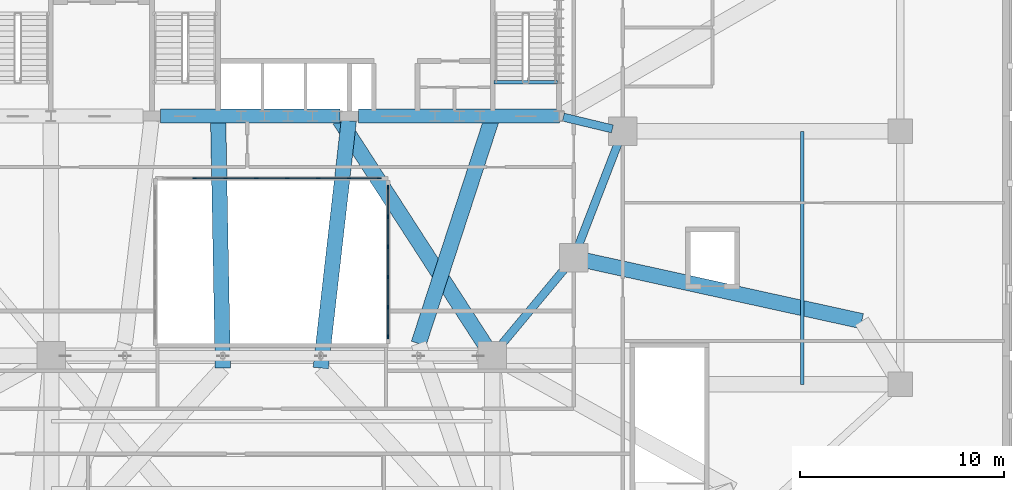
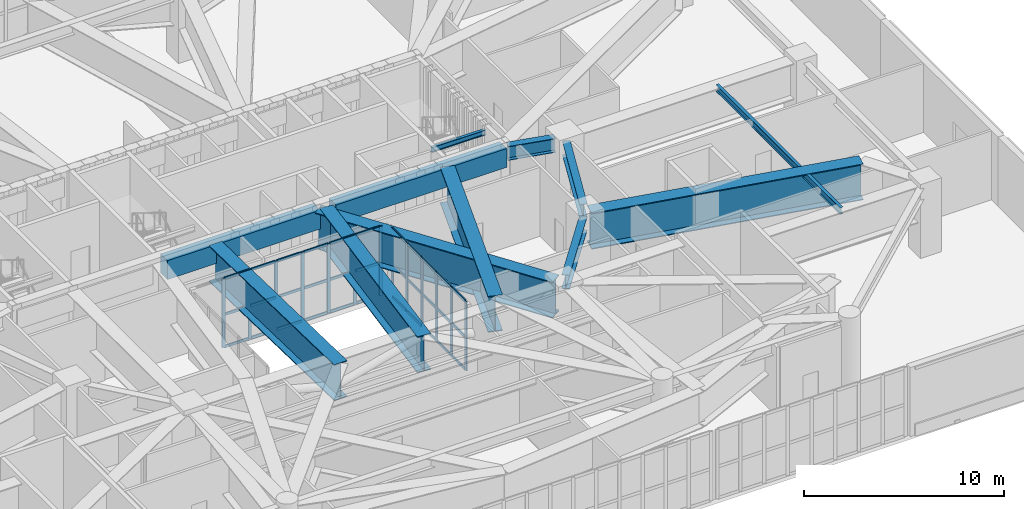
# One storey, part 8 of 26: 46 members, 12 beams, 2 elements without a shape of their own.
"""IFC4 building model written with IfcOpenShell, lengths in metres."""

from ifc_helpers import new_model, si_unit, direction, frame, origin, origin_2d, place, context, subcontext, project, spatial, rectangle, i_section, extrude, material, material_profile, profile_set, type_object, element, aggregate, save


model = new_model("IFC4")

# Units and contexts
model_context = context("Model", 3, precision=1e-05, world=origin(), true_north=direction((0.0, 1.0)))
body_context = subcontext(model_context, "Body", "Model", "MODEL_VIEW")
ifc_project = project(units=[si_unit("LENGTHUNIT", "METRE"), si_unit("AREAUNIT", "SQUARE_METRE"), si_unit("VOLUMEUNIT", "CUBIC_METRE"), si_unit("PLANEANGLEUNIT", "RADIAN"), si_unit("MASSUNIT", "GRAM", prefix="KILO")], contexts=[model_context])

# Site, building, storey
site_placement = place(None, origin())
site = spatial("IfcSite", under=ifc_project, at=site_placement, CompositionType="ELEMENT")
building_placement = place(site_placement, origin())
building = spatial("IfcBuilding", under=site, at=building_placement, Name="Haldorwick Loom Tower", CompositionType="ELEMENT")
storey_placement = place(building_placement, frame((0.0, 0.0, 19.5)))
storey = spatial("IfcBuildingStorey", under=building, at=storey_placement, Name="L04", CompositionType="ELEMENT", Elevation=19.5)

# Curtain wall, members
ifc_material_1 = material(Name="Thermally Broken Anodized Aluminium Curtain Wall Framing", Category="aluminium")
curtain_wall_type = type_object("IfcCurtainWallType", Name="ARC-CW-03", PredefinedType="NOTDEFINED", material=ifc_material_1)
curtain_wall_1_placement = place(storey_placement, origin())
curtain_wall_1 = element("IfcCurtainWall", 1, at=curtain_wall_1_placement, inside=storey, type_object=curtain_wall_type, Name="L04 Atrium Glazed Screen N", PredefinedType="NOTDEFINED")
ifc_material_profile_1 = material_profile(ifc_material_1, rectangle(XDim=0.06591796875, YDim=0.18505859375, at=origin_2d()), Name="ALU_MUL_66X185", Category="aluminium")
ifc_profile_set_1 = profile_set([ifc_material_profile_1], Name="Thermally Broken Anodized Aluminium Curtain Wall Framing")
member_type_1 = type_object("IfcMemberType", Name="ARC-CWM-03", PredefinedType="MULLION", material=ifc_profile_set_1)
member_1_placement = place(storey_placement, frame((32.21435546875, 23.699951171875, 0.0), z_axis=(0.0, 0.0, 1.0), x_axis=(0.0, 1.0, 0.0)))
member_1 = element("IfcMember", 2, at=member_1_placement, type_object=member_type_1, Name="CW-03 mullion 2", PredefinedType="MULLION", context=body_context, shape_type="SweptSolid", body=[
    extrude(rectangle(XDim=0.06591796875, YDim=0.18505859375, at=origin_2d()), origin(), (0.0, 0.0, 1.0), 4.219970703125),
])
member_2_placement = place(storey_placement, frame((33.728515625, 23.699951171875, 0.0), z_axis=(0.0, 0.0, 1.0), x_axis=(0.0, 1.0, 0.0)))
member_2 = element("IfcMember", 3, at=member_2_placement, type_object=member_type_1, Name="CW-03 mullion 3", PredefinedType="MULLION", context=body_context, shape_type="SweptSolid", body=[
    extrude(rectangle(XDim=0.06591796875, YDim=0.18505859375, at=origin_2d()), origin(), (0.0, 0.0, 1.0), 4.219970703125),
])
member_3_placement = place(storey_placement, frame((35.242919921875, 23.699951171875, 0.0), z_axis=(0.0, 0.0, 1.0), x_axis=(0.0, 1.0, 0.0)))
member_3 = element("IfcMember", 4, at=member_3_placement, type_object=member_type_1, Name="CW-03 mullion 4", PredefinedType="MULLION", context=body_context, shape_type="SweptSolid", body=[
    extrude(rectangle(XDim=0.06591796875, YDim=0.18505859375, at=origin_2d()), origin(), (0.0, 0.0, 1.0), 4.219970703125),
])
member_4_placement = place(storey_placement, frame((36.757080078125, 23.699951171875, 0.0), z_axis=(0.0, 0.0, 1.0), x_axis=(0.0, 1.0, 0.0)))
member_4 = element("IfcMember", 5, at=member_4_placement, type_object=member_type_1, Name="CW-03 mullion 5", PredefinedType="MULLION", context=body_context, shape_type="SweptSolid", body=[
    extrude(rectangle(XDim=0.06591796875, YDim=0.18505859375, at=origin_2d()), origin(), (0.0, 0.0, 1.0), 4.219970703125),
])
member_5_placement = place(storey_placement, frame((38.271484375, 23.699951171875, 0.0), z_axis=(0.0, 0.0, 1.0), x_axis=(0.0, 1.0, 0.0)))
member_5 = element("IfcMember", 6, at=member_5_placement, type_object=member_type_1, Name="CW-03 mullion 6", PredefinedType="MULLION", context=body_context, shape_type="SweptSolid", body=[
    extrude(rectangle(XDim=0.06591796875, YDim=0.18505859375, at=origin_2d()), origin(), (0.0, 0.0, 1.0), 4.219970703125),
])
member_6_placement = place(storey_placement, frame((39.78564453125, 23.699951171875, 0.0), z_axis=(0.0, 0.0, 1.0), x_axis=(0.0, 1.0, 0.0)))
member_6 = element("IfcMember", 7, at=member_6_placement, type_object=member_type_1, Name="CW-03 mullion 7", PredefinedType="MULLION", context=body_context, shape_type="SweptSolid", body=[
    extrude(rectangle(XDim=0.06591796875, YDim=0.18505859375, at=origin_2d()), origin(), (0.0, 0.0, 1.0), 4.219970703125),
])
member_7_placement = place(storey_placement, frame((41.26708984375, 23.699951171875, 0.0), z_axis=(0.0, 0.0, 1.0), x_axis=(0.0, 1.0, 0.0)))
member_7 = element("IfcMember", 8, at=member_7_placement, type_object=member_type_1, Name="CW-03 mullion 8", PredefinedType="MULLION", context=body_context, shape_type="SweptSolid", body=[
    extrude(rectangle(XDim=0.06591796875, YDim=0.18505859375, at=origin_2d()), origin(), (0.0, 0.0, 1.0), 4.219970703125),
])

curtain_wall_2_placement = place(storey_placement, origin())
curtain_wall_2 = element("IfcCurtainWall", 9, at=curtain_wall_2_placement, inside=storey, type_object=curtain_wall_type, Name="L04 Atrium Glazed Screen E", PredefinedType="NOTDEFINED")
member_8_placement = place(storey_placement, frame((41.699951171875, 23.26708984375, 0.0), z_axis=(0.0, 0.0, 1.0), x_axis=(1.0, 0.0, 0.0)))
member_8 = element("IfcMember", 10, at=member_8_placement, type_object=member_type_1, Name="CW-03 mullion 1", PredefinedType="MULLION", context=body_context, shape_type="SweptSolid", body=[
    extrude(rectangle(XDim=0.06591796875, YDim=0.18505859375, at=origin_2d()), origin(), (0.0, 0.0, 1.0), 4.219970703125),
])
member_9_placement = place(storey_placement, frame((41.699951171875, 21.820068359375, 0.0), z_axis=(0.0, 0.0, 1.0), x_axis=(1.0, 0.0, 0.0)))
member_9 = element("IfcMember", 11, at=member_9_placement, type_object=member_type_1, Name="CW-03 mullion 2", PredefinedType="MULLION", context=body_context, shape_type="SweptSolid", body=[
    extrude(rectangle(XDim=0.06591796875, YDim=0.18505859375, at=origin_2d()), origin(), (0.0, 0.0, 1.0), 4.219970703125),
])
member_10_placement = place(storey_placement, frame((41.699951171875, 20.340087890625, 0.0), z_axis=(0.0, 0.0, 1.0), x_axis=(1.0, 0.0, 0.0)))
member_10 = element("IfcMember", 12, at=member_10_placement, type_object=member_type_1, Name="CW-03 mullion 3", PredefinedType="MULLION", context=body_context, shape_type="SweptSolid", body=[
    extrude(rectangle(XDim=0.06591796875, YDim=0.18505859375, at=origin_2d()), origin(), (0.0, 0.0, 1.0), 4.219970703125),
])
member_11_placement = place(storey_placement, frame((41.699951171875, 18.860107421875, 0.0), z_axis=(0.0, 0.0, 1.0), x_axis=(1.0, 0.0, 0.0)))
member_11 = element("IfcMember", 13, at=member_11_placement, type_object=member_type_1, Name="CW-03 mullion 4", PredefinedType="MULLION", context=body_context, shape_type="SweptSolid", body=[
    extrude(rectangle(XDim=0.06591796875, YDim=0.18505859375, at=origin_2d()), origin(), (0.0, 0.0, 1.0), 4.219970703125),
])
member_12_placement = place(storey_placement, frame((41.699951171875, 17.3798828125, 0.0), z_axis=(0.0, 0.0, 1.0), x_axis=(1.0, 0.0, 0.0)))
member_12 = element("IfcMember", 14, at=member_12_placement, type_object=member_type_1, Name="CW-03 mullion 5", PredefinedType="MULLION", context=body_context, shape_type="SweptSolid", body=[
    extrude(rectangle(XDim=0.06591796875, YDim=0.18505859375, at=origin_2d()), origin(), (0.0, 0.0, 1.0), 4.219970703125),
])
member_13_placement = place(storey_placement, frame((41.699951171875, 15.93310546875, 0.0), z_axis=(0.0, 0.0, 1.0), x_axis=(1.0, 0.0, 0.0)))
member_13 = element("IfcMember", 15, at=member_13_placement, type_object=member_type_1, Name="CW-03 mullion 6", PredefinedType="MULLION", context=body_context, shape_type="SweptSolid", body=[
    extrude(rectangle(XDim=0.06591796875, YDim=0.18505859375, at=origin_2d()), origin(), (0.0, 0.0, 1.0), 4.219970703125),
])

# Member
ifc_material_profile_2 = material_profile(ifc_material_1, rectangle(XDim=0.06591796875, YDim=0.1650390625, at=origin_2d()), Name="ALU_TRN_66X165", Category="aluminium")
ifc_profile_set_2 = profile_set([ifc_material_profile_2], Name="Thermally Broken Anodized Aluminium Curtain Wall Framing")
member_type_2 = type_object("IfcMemberType", Name="ARC-CWT-03", PredefinedType="USERDEFINED", material=ifc_profile_set_2)
member_14_placement = place(storey_placement, frame((32.247314453125, 23.699951171875, 0.032958984375), z_axis=(1.0, 0.0, 0.0), x_axis=(0.0, 1.0, 0.0)))
member_14 = element("IfcMember", 16, at=member_14_placement, type_object=member_type_2, Name="CW-03 transom 2.1", ObjectType="TRANSOM", PredefinedType="USERDEFINED", context=body_context, shape_type="SweptSolid", body=[
    extrude(rectangle(XDim=0.06591796875, YDim=0.1650390625, at=origin_2d()), origin(), (0.0, 0.0, 1.0), 1.4482421875),
])

member_15_placement = place(storey_placement, frame((32.247314453125, 23.699951171875, 2.0), z_axis=(1.0, 0.0, 0.0), x_axis=(0.0, 1.0, 0.0)))
member_15 = element("IfcMember", 17, at=member_15_placement, type_object=member_type_2, Name="CW-03 transom 2.2", ObjectType="TRANSOM", PredefinedType="USERDEFINED", context=body_context, shape_type="SweptSolid", body=[
    extrude(rectangle(XDim=0.06591796875, YDim=0.1650390625, at=origin_2d()), origin(), (0.0, 0.0, 1.0), 1.4482421875),
])

member_16_placement = place(storey_placement, frame((32.247314453125, 23.699951171875, 4.18701171875), z_axis=(1.0, 0.0, 0.0), x_axis=(0.0, 1.0, 0.0)))
member_16 = element("IfcMember", 18, at=member_16_placement, type_object=member_type_2, Name="CW-03 transom 2.3", ObjectType="TRANSOM", PredefinedType="USERDEFINED", context=body_context, shape_type="SweptSolid", body=[
    extrude(rectangle(XDim=0.06591796875, YDim=0.1650390625, at=origin_2d()), origin(), (0.0, 0.0, 1.0), 1.4482421875),
])

member_17_placement = place(storey_placement, frame((33.761474609375, 23.699951171875, 0.032958984375), z_axis=(1.0, 0.0, 0.0), x_axis=(0.0, 1.0, 0.0)))
member_17 = element("IfcMember", 19, at=member_17_placement, type_object=member_type_2, Name="CW-03 transom 3.1", ObjectType="TRANSOM", PredefinedType="USERDEFINED", context=body_context, shape_type="SweptSolid", body=[
    extrude(rectangle(XDim=0.06591796875, YDim=0.1650390625, at=origin_2d()), origin(), (0.0, 0.0, 1.0), 1.448486328125),
])

member_18_placement = place(storey_placement, frame((33.761474609375, 23.699951171875, 2.0), z_axis=(1.0, 0.0, 0.0), x_axis=(0.0, 1.0, 0.0)))
member_18 = element("IfcMember", 20, at=member_18_placement, type_object=member_type_2, Name="CW-03 transom 3.2", ObjectType="TRANSOM", PredefinedType="USERDEFINED", context=body_context, shape_type="SweptSolid", body=[
    extrude(rectangle(XDim=0.06591796875, YDim=0.1650390625, at=origin_2d()), origin(), (0.0, 0.0, 1.0), 1.448486328125),
])

member_19_placement = place(storey_placement, frame((33.761474609375, 23.699951171875, 4.18701171875), z_axis=(1.0, 0.0, 0.0), x_axis=(0.0, 1.0, 0.0)))
member_19 = element("IfcMember", 21, at=member_19_placement, type_object=member_type_2, Name="CW-03 transom 3.3", ObjectType="TRANSOM", PredefinedType="USERDEFINED", context=body_context, shape_type="SweptSolid", body=[
    extrude(rectangle(XDim=0.06591796875, YDim=0.1650390625, at=origin_2d()), origin(), (0.0, 0.0, 1.0), 1.448486328125),
])

member_20_placement = place(storey_placement, frame((35.27587890625, 23.699951171875, 0.032958984375), z_axis=(1.0, 0.0, 0.0), x_axis=(0.0, 1.0, 0.0)))
member_20 = element("IfcMember", 22, at=member_20_placement, type_object=member_type_2, Name="CW-03 transom 4.1", ObjectType="TRANSOM", PredefinedType="USERDEFINED", context=body_context, shape_type="SweptSolid", body=[
    extrude(rectangle(XDim=0.06591796875, YDim=0.1650390625, at=origin_2d()), origin(), (0.0, 0.0, 1.0), 1.4482421875),
])

member_21_placement = place(storey_placement, frame((35.27587890625, 23.699951171875, 2.0), z_axis=(1.0, 0.0, 0.0), x_axis=(0.0, 1.0, 0.0)))
member_21 = element("IfcMember", 23, at=member_21_placement, type_object=member_type_2, Name="CW-03 transom 4.2", ObjectType="TRANSOM", PredefinedType="USERDEFINED", context=body_context, shape_type="SweptSolid", body=[
    extrude(rectangle(XDim=0.06591796875, YDim=0.1650390625, at=origin_2d()), origin(), (0.0, 0.0, 1.0), 1.4482421875),
])

member_22_placement = place(storey_placement, frame((35.27587890625, 23.699951171875, 4.18701171875), z_axis=(1.0, 0.0, 0.0), x_axis=(0.0, 1.0, 0.0)))
member_22 = element("IfcMember", 24, at=member_22_placement, type_object=member_type_2, Name="CW-03 transom 4.3", ObjectType="TRANSOM", PredefinedType="USERDEFINED", context=body_context, shape_type="SweptSolid", body=[
    extrude(rectangle(XDim=0.06591796875, YDim=0.1650390625, at=origin_2d()), origin(), (0.0, 0.0, 1.0), 1.4482421875),
])

member_23_placement = place(storey_placement, frame((36.7900390625, 23.699951171875, 0.032958984375), z_axis=(1.0, 0.0, 0.0), x_axis=(0.0, 1.0, 0.0)))
member_23 = element("IfcMember", 25, at=member_23_placement, type_object=member_type_2, Name="CW-03 transom 5.1", ObjectType="TRANSOM", PredefinedType="USERDEFINED", context=body_context, shape_type="SweptSolid", body=[
    extrude(rectangle(XDim=0.06591796875, YDim=0.1650390625, at=origin_2d()), origin(), (0.0, 0.0, 1.0), 1.448486328125),
])

member_24_placement = place(storey_placement, frame((36.7900390625, 23.699951171875, 2.0), z_axis=(1.0, 0.0, 0.0), x_axis=(0.0, 1.0, 0.0)))
member_24 = element("IfcMember", 26, at=member_24_placement, type_object=member_type_2, Name="CW-03 transom 5.2", ObjectType="TRANSOM", PredefinedType="USERDEFINED", context=body_context, shape_type="SweptSolid", body=[
    extrude(rectangle(XDim=0.06591796875, YDim=0.1650390625, at=origin_2d()), origin(), (0.0, 0.0, 1.0), 1.448486328125),
])

member_25_placement = place(storey_placement, frame((36.7900390625, 23.699951171875, 4.18701171875), z_axis=(1.0, 0.0, 0.0), x_axis=(0.0, 1.0, 0.0)))
member_25 = element("IfcMember", 27, at=member_25_placement, type_object=member_type_2, Name="CW-03 transom 5.3", ObjectType="TRANSOM", PredefinedType="USERDEFINED", context=body_context, shape_type="SweptSolid", body=[
    extrude(rectangle(XDim=0.06591796875, YDim=0.1650390625, at=origin_2d()), origin(), (0.0, 0.0, 1.0), 1.448486328125),
])

member_26_placement = place(storey_placement, frame((38.304443359375, 23.699951171875, 0.032958984375), z_axis=(1.0, 0.0, 0.0), x_axis=(0.0, 1.0, 0.0)))
member_26 = element("IfcMember", 28, at=member_26_placement, type_object=member_type_2, Name="CW-03 transom 6.1", ObjectType="TRANSOM", PredefinedType="USERDEFINED", context=body_context, shape_type="SweptSolid", body=[
    extrude(rectangle(XDim=0.06591796875, YDim=0.1650390625, at=origin_2d()), origin(), (0.0, 0.0, 1.0), 1.4482421875),
])

member_27_placement = place(storey_placement, frame((38.304443359375, 23.699951171875, 2.0), z_axis=(1.0, 0.0, 0.0), x_axis=(0.0, 1.0, 0.0)))
member_27 = element("IfcMember", 29, at=member_27_placement, type_object=member_type_2, Name="CW-03 transom 6.2", ObjectType="TRANSOM", PredefinedType="USERDEFINED", context=body_context, shape_type="SweptSolid", body=[
    extrude(rectangle(XDim=0.06591796875, YDim=0.1650390625, at=origin_2d()), origin(), (0.0, 0.0, 1.0), 1.4482421875),
])

member_28_placement = place(storey_placement, frame((38.304443359375, 23.699951171875, 4.18701171875), z_axis=(1.0, 0.0, 0.0), x_axis=(0.0, 1.0, 0.0)))
member_28 = element("IfcMember", 30, at=member_28_placement, type_object=member_type_2, Name="CW-03 transom 6.3", ObjectType="TRANSOM", PredefinedType="USERDEFINED", context=body_context, shape_type="SweptSolid", body=[
    extrude(rectangle(XDim=0.06591796875, YDim=0.1650390625, at=origin_2d()), origin(), (0.0, 0.0, 1.0), 1.4482421875),
])

member_29_placement = place(storey_placement, frame((39.818603515625, 23.699951171875, 0.032958984375), z_axis=(1.0, 0.0, 0.0), x_axis=(0.0, 1.0, 0.0)))
member_29 = element("IfcMember", 31, at=member_29_placement, type_object=member_type_2, Name="CW-03 transom 7.1", ObjectType="TRANSOM", PredefinedType="USERDEFINED", context=body_context, shape_type="SweptSolid", body=[
    extrude(rectangle(XDim=0.06591796875, YDim=0.1650390625, at=origin_2d()), origin(), (0.0, 0.0, 1.0), 1.415283203125),
])

member_30_placement = place(storey_placement, frame((39.818603515625, 23.699951171875, 2.0), z_axis=(1.0, 0.0, 0.0), x_axis=(0.0, 1.0, 0.0)))
member_30 = element("IfcMember", 32, at=member_30_placement, type_object=member_type_2, Name="CW-03 transom 7.2", ObjectType="TRANSOM", PredefinedType="USERDEFINED", context=body_context, shape_type="SweptSolid", body=[
    extrude(rectangle(XDim=0.06591796875, YDim=0.1650390625, at=origin_2d()), origin(), (0.0, 0.0, 1.0), 1.415283203125),
])

member_31_placement = place(storey_placement, frame((39.818603515625, 23.699951171875, 4.18701171875), z_axis=(1.0, 0.0, 0.0), x_axis=(0.0, 1.0, 0.0)))
member_31 = element("IfcMember", 33, at=member_31_placement, type_object=member_type_2, Name="CW-03 transom 7.3", ObjectType="TRANSOM", PredefinedType="USERDEFINED", context=body_context, shape_type="SweptSolid", body=[
    extrude(rectangle(XDim=0.06591796875, YDim=0.1650390625, at=origin_2d()), origin(), (0.0, 0.0, 1.0), 1.415283203125),
])

aggregate(curtain_wall_1, [member_1, member_2, member_3, member_4, member_5, member_6, member_7, member_14, member_15, member_16, member_17, member_18, member_19, member_20, member_21, member_22, member_23, member_24, member_25, member_26, member_27, member_28, member_29, member_30, member_31])

member_32_placement = place(storey_placement, frame((41.699951171875, 23.23388671875, 0.032958984375), z_axis=(0.0, -1.0, 0.0), x_axis=(1.0, 0.0, 0.0)))
member_32 = element("IfcMember", 34, at=member_32_placement, type_object=member_type_2, Name="CW-03 transom 1.1", ObjectType="TRANSOM", PredefinedType="USERDEFINED", context=body_context, shape_type="SweptSolid", body=[
    extrude(rectangle(XDim=0.06591796875, YDim=0.1650390625, at=origin_2d()), origin(), (0.0, 0.0, 1.0), 1.380859375),
])

member_33_placement = place(storey_placement, frame((41.699951171875, 23.23388671875, 2.0), z_axis=(0.0, -1.0, 0.0), x_axis=(1.0, 0.0, 0.0)))
member_33 = element("IfcMember", 35, at=member_33_placement, type_object=member_type_2, Name="CW-03 transom 1.2", ObjectType="TRANSOM", PredefinedType="USERDEFINED", context=body_context, shape_type="SweptSolid", body=[
    extrude(rectangle(XDim=0.06591796875, YDim=0.1650390625, at=origin_2d()), origin(), (0.0, 0.0, 1.0), 1.380859375),
])

member_34_placement = place(storey_placement, frame((41.699951171875, 23.23388671875, 4.18701171875), z_axis=(0.0, -1.0, 0.0), x_axis=(1.0, 0.0, 0.0)))
member_34 = element("IfcMember", 36, at=member_34_placement, type_object=member_type_2, Name="CW-03 transom 1.3", ObjectType="TRANSOM", PredefinedType="USERDEFINED", context=body_context, shape_type="SweptSolid", body=[
    extrude(rectangle(XDim=0.06591796875, YDim=0.1650390625, at=origin_2d()), origin(), (0.0, 0.0, 1.0), 1.380859375),
])

member_35_placement = place(storey_placement, frame((41.699951171875, 21.787109375, 0.032958984375), z_axis=(0.0, -1.0, 0.0), x_axis=(1.0, 0.0, 0.0)))
member_35 = element("IfcMember", 37, at=member_35_placement, type_object=member_type_2, Name="CW-03 transom 2.1", ObjectType="TRANSOM", PredefinedType="USERDEFINED", context=body_context, shape_type="SweptSolid", body=[
    extrude(rectangle(XDim=0.06591796875, YDim=0.1650390625, at=origin_2d()), origin(), (0.0, 0.0, 1.0), 1.4140625),
])

member_36_placement = place(storey_placement, frame((41.699951171875, 21.787109375, 2.0), z_axis=(0.0, -1.0, 0.0), x_axis=(1.0, 0.0, 0.0)))
member_36 = element("IfcMember", 38, at=member_36_placement, type_object=member_type_2, Name="CW-03 transom 2.2", ObjectType="TRANSOM", PredefinedType="USERDEFINED", context=body_context, shape_type="SweptSolid", body=[
    extrude(rectangle(XDim=0.06591796875, YDim=0.1650390625, at=origin_2d()), origin(), (0.0, 0.0, 1.0), 1.4140625),
])

member_37_placement = place(storey_placement, frame((41.699951171875, 21.787109375, 4.18701171875), z_axis=(0.0, -1.0, 0.0), x_axis=(1.0, 0.0, 0.0)))
member_37 = element("IfcMember", 39, at=member_37_placement, type_object=member_type_2, Name="CW-03 transom 2.3", ObjectType="TRANSOM", PredefinedType="USERDEFINED", context=body_context, shape_type="SweptSolid", body=[
    extrude(rectangle(XDim=0.06591796875, YDim=0.1650390625, at=origin_2d()), origin(), (0.0, 0.0, 1.0), 1.4140625),
])

member_38_placement = place(storey_placement, frame((41.699951171875, 20.306884765625, 0.032958984375), z_axis=(0.0, -1.0, 0.0), x_axis=(1.0, 0.0, 0.0)))
member_38 = element("IfcMember", 40, at=member_38_placement, type_object=member_type_2, Name="CW-03 transom 3.1", ObjectType="TRANSOM", PredefinedType="USERDEFINED", context=body_context, shape_type="SweptSolid", body=[
    extrude(rectangle(XDim=0.06591796875, YDim=0.1650390625, at=origin_2d()), origin(), (0.0, 0.0, 1.0), 1.413818359375),
])

member_39_placement = place(storey_placement, frame((41.699951171875, 20.306884765625, 2.0), z_axis=(0.0, -1.0, 0.0), x_axis=(1.0, 0.0, 0.0)))
member_39 = element("IfcMember", 41, at=member_39_placement, type_object=member_type_2, Name="CW-03 transom 3.2", ObjectType="TRANSOM", PredefinedType="USERDEFINED", context=body_context, shape_type="SweptSolid", body=[
    extrude(rectangle(XDim=0.06591796875, YDim=0.1650390625, at=origin_2d()), origin(), (0.0, 0.0, 1.0), 1.413818359375),
])

member_40_placement = place(storey_placement, frame((41.699951171875, 20.306884765625, 4.18701171875), z_axis=(0.0, -1.0, 0.0), x_axis=(1.0, 0.0, 0.0)))
member_40 = element("IfcMember", 42, at=member_40_placement, type_object=member_type_2, Name="CW-03 transom 3.3", ObjectType="TRANSOM", PredefinedType="USERDEFINED", context=body_context, shape_type="SweptSolid", body=[
    extrude(rectangle(XDim=0.06591796875, YDim=0.1650390625, at=origin_2d()), origin(), (0.0, 0.0, 1.0), 1.413818359375),
])

member_41_placement = place(storey_placement, frame((41.699951171875, 18.826904296875, 0.032958984375), z_axis=(0.0, -1.0, 0.0), x_axis=(1.0, 0.0, 0.0)))
member_41 = element("IfcMember", 43, at=member_41_placement, type_object=member_type_2, Name="CW-03 transom 4.1", ObjectType="TRANSOM", PredefinedType="USERDEFINED", context=body_context, shape_type="SweptSolid", body=[
    extrude(rectangle(XDim=0.06591796875, YDim=0.1650390625, at=origin_2d()), origin(), (0.0, 0.0, 1.0), 1.413818359375),
])

member_42_placement = place(storey_placement, frame((41.699951171875, 18.826904296875, 2.0), z_axis=(0.0, -1.0, 0.0), x_axis=(1.0, 0.0, 0.0)))
member_42 = element("IfcMember", 44, at=member_42_placement, type_object=member_type_2, Name="CW-03 transom 4.2", ObjectType="TRANSOM", PredefinedType="USERDEFINED", context=body_context, shape_type="SweptSolid", body=[
    extrude(rectangle(XDim=0.06591796875, YDim=0.1650390625, at=origin_2d()), origin(), (0.0, 0.0, 1.0), 1.413818359375),
])

member_43_placement = place(storey_placement, frame((41.699951171875, 18.826904296875, 4.18701171875), z_axis=(0.0, -1.0, 0.0), x_axis=(1.0, 0.0, 0.0)))
member_43 = element("IfcMember", 45, at=member_43_placement, type_object=member_type_2, Name="CW-03 transom 4.3", ObjectType="TRANSOM", PredefinedType="USERDEFINED", context=body_context, shape_type="SweptSolid", body=[
    extrude(rectangle(XDim=0.06591796875, YDim=0.1650390625, at=origin_2d()), origin(), (0.0, 0.0, 1.0), 1.413818359375),
])

member_44_placement = place(storey_placement, frame((41.699951171875, 17.346923828125, 0.032958984375), z_axis=(0.0, -1.0, 0.0), x_axis=(1.0, 0.0, 0.0)))
member_44 = element("IfcMember", 46, at=member_44_placement, type_object=member_type_2, Name="CW-03 transom 5.1", ObjectType="TRANSOM", PredefinedType="USERDEFINED", context=body_context, shape_type="SweptSolid", body=[
    extrude(rectangle(XDim=0.06591796875, YDim=0.1650390625, at=origin_2d()), origin(), (0.0, 0.0, 1.0), 1.380859375),
])

member_45_placement = place(storey_placement, frame((41.699951171875, 17.346923828125, 2.0), z_axis=(0.0, -1.0, 0.0), x_axis=(1.0, 0.0, 0.0)))
member_45 = element("IfcMember", 47, at=member_45_placement, type_object=member_type_2, Name="CW-03 transom 5.2", ObjectType="TRANSOM", PredefinedType="USERDEFINED", context=body_context, shape_type="SweptSolid", body=[
    extrude(rectangle(XDim=0.06591796875, YDim=0.1650390625, at=origin_2d()), origin(), (0.0, 0.0, 1.0), 1.380859375),
])

member_46_placement = place(storey_placement, frame((41.699951171875, 17.346923828125, 4.18701171875), z_axis=(0.0, -1.0, 0.0), x_axis=(1.0, 0.0, 0.0)))
member_46 = element("IfcMember", 48, at=member_46_placement, type_object=member_type_2, Name="CW-03 transom 5.3", ObjectType="TRANSOM", PredefinedType="USERDEFINED", context=body_context, shape_type="SweptSolid", body=[
    extrude(rectangle(XDim=0.06591796875, YDim=0.1650390625, at=origin_2d()), origin(), (0.0, 0.0, 1.0), 1.380859375),
])

aggregate(curtain_wall_2, [member_8, member_9, member_10, member_11, member_12, member_13, member_32, member_33, member_34, member_35, member_36, member_37, member_38, member_39, member_40, member_41, member_42, member_43, member_44, member_45, member_46])

# Beams
ifc_material_2 = material(Name="Concrete C60 (60 MPa)", Category="concrete")
ifc_material_profile_3 = material_profile(ifc_material_2, rectangle(XDim=0.699951171875, YDim=1.14990234375, at=origin_2d()), Name="RC700X1150", Category="concrete")
ifc_profile_set_3 = profile_set([ifc_material_profile_3], Name="Concrete C60 (60 MPa)")
beam_type_1 = type_object("IfcBeamType", Name="STR-BM-CB1150", PredefinedType="LINTEL", material=ifc_profile_set_3)
beam_1_placement = place(storey_placement, frame((30.550048828125, 26.75, 3.64501953125), z_axis=(1.0, 0.0, 0.0), x_axis=(0.0, 1.0, 0.0)))
element("IfcBeam", 49, at=beam_1_placement, inside=storey, type_object=beam_type_1, Name="L04 Core Coupling Beam CB-S2", PredefinedType="LINTEL", context=body_context, shape_type="SweptSolid", body=[
    extrude(rectangle(XDim=0.699951171875, YDim=1.14990234375, at=origin_2d()), origin(), (0.0, 0.0, 1.0), 8.800048828125),
])
beam_2_placement = place(storey_placement, frame((40.25, 26.75, 3.64501953125), z_axis=(1.0, 0.0, 0.0), x_axis=(0.0, 1.0, 0.0)))
element("IfcBeam", 50, at=beam_2_placement, inside=storey, type_object=beam_type_1, Name="L04 Core Coupling Beam CB-S3", PredefinedType="LINTEL", context=body_context, shape_type="SweptSolid", body=[
    extrude(rectangle(XDim=0.699951171875, YDim=1.14990234375, at=origin_2d()), origin(), (0.0, 0.0, 1.0), 9.85009765625),
])
ifc_material_3 = material(Name="Steel CSA G40.21 350W", Category="steel")
ifc_material_profile_4 = material_profile(ifc_material_3, i_section(OverallWidth=0.179931640625, OverallDepth=0.4130859375, WebThickness=0.009765625, FlangeThickness=0.01611328125, at=origin_2d()), Name="W410X74", Category="steel")
ifc_profile_set_4 = profile_set([ifc_material_profile_4], Name="Steel CSA G40.21 350W")
beam_type_2 = type_object("IfcBeamType", Name="STR-BM-J410", PredefinedType="JOIST", material=ifc_profile_set_4)
beam_3_placement = place(storey_placement, frame((62.0, 13.60009765625, 4.013427734375), z_axis=(0.0, 1.0, 0.0), x_axis=(-1.0, 0.0, 0.0)))
element("IfcBeam", 51, at=beam_3_placement, inside=storey, type_object=beam_type_2, Name="L04 Podium Secondary Joist PJ-E1", PredefinedType="JOIST", context=body_context, shape_type="SweptSolid", body=[
    extrude(i_section(OverallWidth=0.179931640625, OverallDepth=0.4130859375, WebThickness=0.009765625, FlangeThickness=0.01611328125, at=origin_2d()), origin(), (0.0, 0.0, 1.0), 12.39990234375),
])
ifc_material_profile_5 = material_profile(ifc_material_3, i_section(OverallWidth=0.166015625, OverallDepth=0.31298828125, WebThickness=0.006591796875, FlangeThickness=0.01123046875, at=origin_2d()), Name="W310X45", Category="steel")
ifc_profile_set_5 = profile_set([ifc_material_profile_5], Name="Steel CSA G40.21 350W")
beam_type_3 = type_object("IfcBeamType", Name="STR-BM-STRM", PredefinedType="BEAM", material=ifc_profile_set_5)
beam_4_placement = place(storey_placement, frame((46.889892578125, 28.39990234375, 4.0634765625), z_axis=(1.0, 0.0, 0.0), x_axis=(0.0, 1.0, 0.0)))
element("IfcBeam", 52, at=beam_4_placement, inside=storey, type_object=beam_type_3, Name="L04 Stair ST-02 Landing Edge Trimmer", PredefinedType="BEAM", context=body_context, shape_type="SweptSolid", body=[
    extrude(i_section(OverallWidth=0.166015625, OverallDepth=0.31298828125, WebThickness=0.006591796875, FlangeThickness=0.01123046875, at=origin_2d()), origin(), (0.0, 0.0, 1.0), 3.1201171875),
])
ifc_material_4 = material(Name="Steel CSA G40.21 350WT", Category="steel")
ifc_material_profile_6 = material_profile(ifc_material_4, i_section(OverallWidth=0.75, OverallDepth=2.199951171875, WebThickness=0.030029296875, FlangeThickness=0.054931640625, at=origin_2d()), Name="WWF2200X750", Category="steel")
ifc_profile_set_6 = profile_set([ifc_material_profile_6], Name="Steel CSA G40.21 350WT")
beam_type_4 = type_object("IfcBeamType", Name="STR-BM-TG2200", PredefinedType="BEAM", material=ifc_profile_set_6)
beam_5_placement = place(storey_placement, frame((46.5556640625, 15.377685546875, 3.1201171875), z_axis=(-0.543098499406, 0.839668994273, 0.0), x_axis=(-0.839668994273, -0.543098499406, 0.0)))
element("IfcBeam", 53, at=beam_5_placement, inside=storey, type_object=beam_type_4, Name="L04 Podium Primary Girder PG-05", PredefinedType="BEAM", context=body_context, shape_type="SweptSolid", body=[
    extrude(i_section(OverallWidth=0.75, OverallDepth=2.199951171875, WebThickness=0.030029296875, FlangeThickness=0.054931640625, at=origin_2d()), origin(), (0.0, 0.0, 1.0), 13.31884765625),
])
beam_6_placement = place(storey_placement, frame((51.019775390625, 19.751708984375, 3.1201171875), z_axis=(0.976739785566, -0.214428056218, 0.0), x_axis=(0.214428056218, 0.976739785566, 0.0)))
element("IfcBeam", 54, at=beam_6_placement, inside=storey, type_object=beam_type_4, Name="L04 Radial Transfer Girder 16 Inner", PredefinedType="BEAM", context=body_context, shape_type="SweptSolid", body=[
    extrude(i_section(OverallWidth=0.75, OverallDepth=2.199951171875, WebThickness=0.030029296875, FlangeThickness=0.054931640625, at=origin_2d()), origin(), (0.0, 0.0, 1.0), 14.228759765625),
])
beam_7_placement = place(storey_placement, frame((33.374267578125, 26.52490234375, 3.1201171875), z_axis=(0.01862193142, -0.999826596801, 0.0), x_axis=(0.999826596801, 0.01862193142, 0.0)))
element("IfcBeam", 55, at=beam_7_placement, inside=storey, type_object=beam_type_4, Name="L04 Concourse Transfer Cross Girder 2A", PredefinedType="BEAM", context=body_context, shape_type="SweptSolid", body=[
    extrude(i_section(OverallWidth=0.75, OverallDepth=2.199951171875, WebThickness=0.030029296875, FlangeThickness=0.054931640625, at=origin_2d()), origin(), (0.0, 0.0, 1.0), 12.127197265625),
])
beam_8_placement = place(storey_placement, frame((39.774658203125, 26.5263671875, 3.1201171875), z_axis=(-0.112646653977, -0.99363510976, 0.0), x_axis=(0.99363510976, -0.112646653977, 0.0)))
element("IfcBeam", 56, at=beam_8_placement, inside=storey, type_object=beam_type_4, Name="L04 Concourse Transfer Cross Girder 3A", PredefinedType="BEAM", context=body_context, shape_type="SweptSolid", body=[
    extrude(i_section(OverallWidth=0.75, OverallDepth=2.199951171875, WebThickness=0.030029296875, FlangeThickness=0.054931640625, at=origin_2d()), origin(), (0.0, 0.0, 1.0), 12.2041015625),
])
beam_9_placement = place(storey_placement, frame((46.76025390625, 26.5361328125, 3.1201171875), z_axis=(-0.30956506871, -0.950878261522, 0.0), x_axis=(0.950878261522, -0.30956506871, 0.0)))
element("IfcBeam", 57, at=beam_9_placement, inside=storey, type_object=beam_type_4, Name="L04 Concourse Transfer Cross Girder 4A", PredefinedType="BEAM", context=body_context, shape_type="SweptSolid", body=[
    extrude(i_section(OverallWidth=0.75, OverallDepth=2.199951171875, WebThickness=0.030029296875, FlangeThickness=0.054931640625, at=origin_2d()), origin(), (0.0, 0.0, 1.0), 11.5009765625),
])
ifc_material_profile_7 = material_profile(ifc_material_3, i_section(OverallWidth=0.39990234375, OverallDepth=0.85498046875, WebThickness=0.018310546875, FlangeThickness=0.029296875, at=origin_2d()), Name="W840X299", Category="steel")
ifc_profile_set_7 = profile_set([ifc_material_profile_7], Name="Steel CSA G40.21 350W")
beam_type_5 = type_object("IfcBeamType", Name="STR-BM-W840", PredefinedType="BEAM", material=ifc_profile_set_7)
beam_10_placement = place(storey_placement, frame((50.288818359375, 26.697509765625, 3.79248046875), z_axis=(0.97247055837, -0.233025777764, 0.0), x_axis=(0.233025777764, 0.97247055837, 0.0)))
element("IfcBeam", 58, at=beam_10_placement, inside=storey, type_object=beam_type_5, Name="L04 Podium Inner Girder INE-1", PredefinedType="BEAM", context=body_context, shape_type="SweptSolid", body=[
    extrude(i_section(OverallWidth=0.39990234375, OverallDepth=0.85498046875, WebThickness=0.018310546875, FlangeThickness=0.029296875, at=origin_2d()), origin(), (0.0, 0.0, 1.0), 2.4736328125),
])
beam_11_placement = place(storey_placement, frame((53.01220703125, 25.51513671875, 3.79248046875), z_axis=(-0.360964792353, -0.93257944363, 0.0), x_axis=(0.93257944363, -0.360964792353, 0.0)))
element("IfcBeam", 59, at=beam_11_placement, inside=storey, type_object=beam_type_5, Name="L04 Podium Inner Girder INE-2", PredefinedType="BEAM", context=body_context, shape_type="SweptSolid", body=[
    extrude(i_section(OverallWidth=0.39990234375, OverallDepth=0.85498046875, WebThickness=0.018310546875, FlangeThickness=0.029296875, at=origin_2d()), origin(), (0.0, 0.0, 1.0), 5.6083984375),
])
beam_12_placement = place(storey_placement, frame((50.467041015625, 19.400390625, 3.79248046875), z_axis=(-0.640193621243, -0.768213594855, 0.0), x_axis=(0.768213594855, -0.640193621243, 0.0)))
element("IfcBeam", 60, at=beam_12_placement, inside=storey, type_object=beam_type_5, Name="L04 Podium Inner Girder INE-3", PredefinedType="BEAM", context=body_context, shape_type="SweptSolid", body=[
    extrude(i_section(OverallWidth=0.39990234375, OverallDepth=0.85498046875, WebThickness=0.018310546875, FlangeThickness=0.029296875, at=origin_2d()), origin(), (0.0, 0.0, 1.0), 5.208251953125),
])

save(model, "model.ifc")
